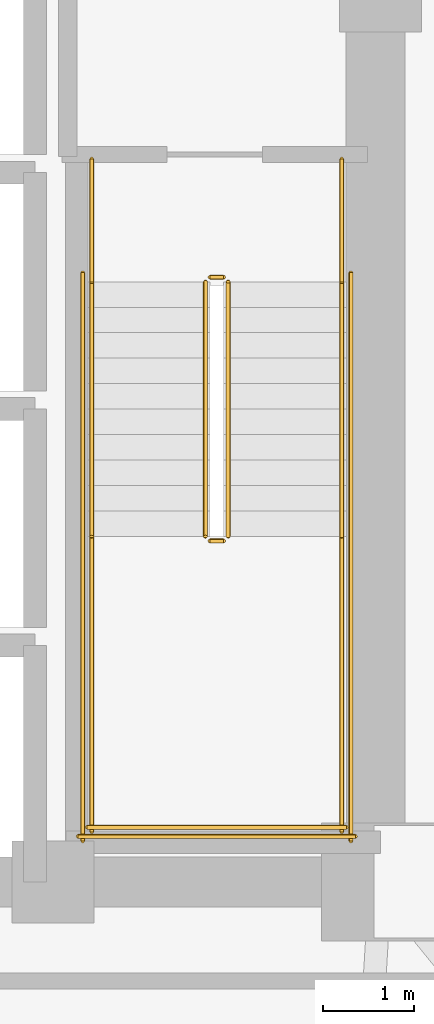
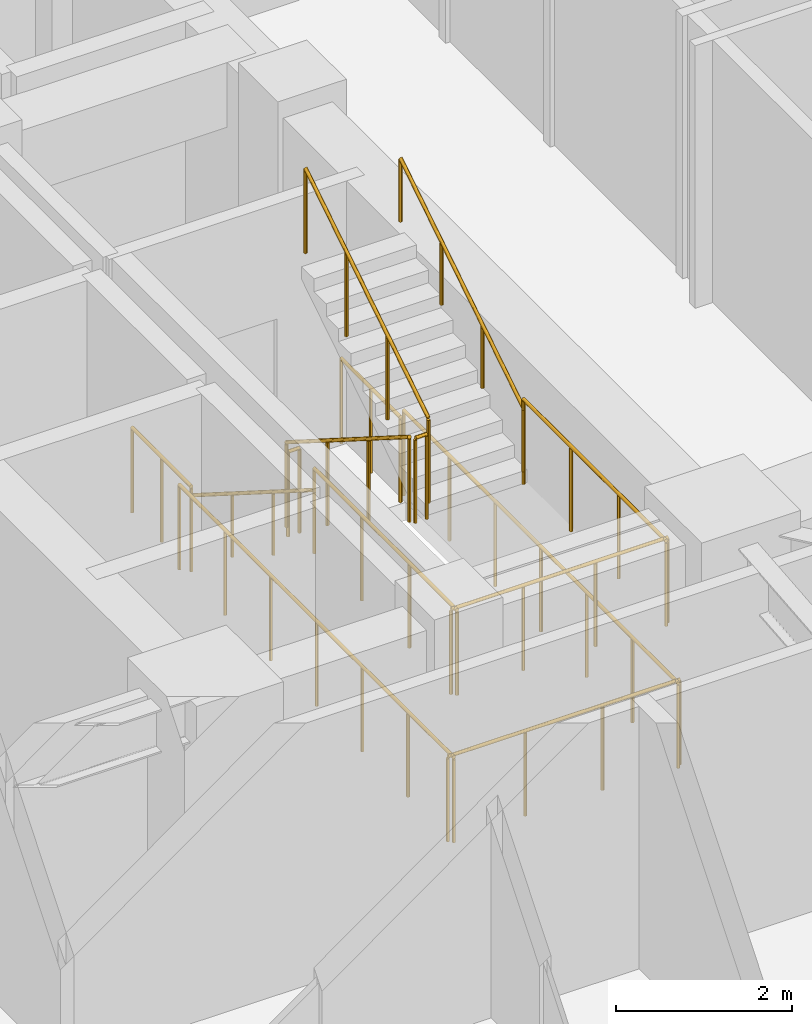
# One storey, part 11 of 11: 14 railings.
"""IFC4 building model written with IfcOpenShell, lengths in metres."""

from ifc_helpers import new_model, si_unit, direction, frame, origin, origin_2d, place, context, subcontext, project, spatial, circle, extrude, material, type_object, element, save


model = new_model("IFC4")

# Units and contexts
model_context = context("Model", 3, precision=1e-05, world=origin(), true_north=direction((0.0, 1.0)))
body_context = subcontext(model_context, "Body", "Model", "MODEL_VIEW")
ifc_project = project(units=[si_unit("LENGTHUNIT", "METRE"), si_unit("AREAUNIT", "SQUARE_METRE"), si_unit("VOLUMEUNIT", "CUBIC_METRE"), si_unit("PLANEANGLEUNIT", "RADIAN"), si_unit("MASSUNIT", "GRAM", prefix="KILO")], contexts=[model_context])

# Site, building, storey
site_placement = place(None, origin())
site = spatial("IfcSite", under=ifc_project, at=site_placement, CompositionType="ELEMENT")
building_placement = place(site_placement, origin())
building = spatial("IfcBuilding", under=site, at=building_placement, Name="Voryun Gate Residences", CompositionType="ELEMENT")
storey_placement = place(building_placement, frame((0.0, 0.0, 97.5)))
storey = spatial("IfcBuildingStorey", under=building, at=storey_placement, Name="L23", CompositionType="ELEMENT", Elevation=97.5)

# Railings
ifc_material_1 = material(Name="Painted steel", Category="steel")
railing_type_1 = type_object("IfcRailingType", Name="RAIL_STAIR_GUARD_1200", PredefinedType="GUARDRAIL", material=ifc_material_1)
railing_1_placement = place(storey_placement, frame((17.27490234375, -0.800048828125, 0.17724609375)))
element("IfcRailing", 1, at=railing_1_placement, inside=storey, type_object=railing_type_1, Name="L23 ST-E1 stair guard 1", PredefinedType="GUARDRAIL", context=body_context, shape_type="SweptSolid", body=[
    extrude(circle(Radius=0.02392578125, at=origin_2d()), frame((0.0, 0.0, 1.17578125), z_axis=(0.0, -0.844908973607, 0.534910110503), x_axis=(1.0, 0.0, 0.0)), (0.0, 0.0, 1.0), 3.31396484375),
    extrude(circle(Radius=0.02099609375, at=origin_2d()), origin(), (0.0, 0.0, 1.0), 1.15185546875),
    extrude(circle(Radius=0.02099609375, at=origin_2d()), frame((0.0, -0.933349609375, 0.5908203125)), (0.0, 0.0, 1.0), 1.15185546875),
    extrude(circle(Radius=0.02099609375, at=origin_2d()), frame((0.0, -1.86669921875, 1.181884765625)), (0.0, 0.0, 1.0), 1.15185546875),
    extrude(circle(Radius=0.02099609375, at=origin_2d()), frame((0.0, -2.800048828125, 1.772705078125)), (0.0, 0.0, 1.0), 1.15185546875),
])
railing_2_placement = place(storey_placement, frame((17.324951171875, -3.64990234375, 1.949951171875)))
element("IfcRailing", 2, at=railing_2_placement, inside=storey, type_object=railing_type_1, Name="L23 ST-E1 stair guard 2", PredefinedType="GUARDRAIL", context=body_context, shape_type="SweptSolid", body=[
    extrude(circle(Radius=0.02392578125, at=origin_2d()), frame((0.0, 0.0, 1.17578125), z_axis=(1.0, 0.0, 0.0), x_axis=(0.0, 1.0, 0.0)), (0.0, 0.0, 1.0), 0.150146484375),
    extrude(circle(Radius=0.02099609375, at=origin_2d()), origin(), (0.0, 0.0, 1.0), 1.15185546875),
    extrude(circle(Radius=0.02099609375, at=origin_2d()), frame((0.150146484375, 0.0, 0.0)), (0.0, 0.0, 1.0), 1.15185546875),
])
for number, where, name in (
    (3, (16.02490234375, -3.60009765625, 1.949951171875), "L23 ST-E1 stair guard 3"),
    (4, (18.77490234375, -3.60009765625, 1.949951171875), "L23 ST-E1 stair guard 4"),
):
    element("IfcRailing", number, at=place(storey_placement, frame(where)), inside=storey, type_object=railing_type_1, Name=name, PredefinedType="GUARDRAIL", context=body_context, shape_type="SweptSolid", body=[
        extrude(circle(Radius=0.02392578125, at=origin_2d()), frame((0.0, 0.0, 1.17578125), z_axis=(0.0, -1.0, 0.0), x_axis=(1.0, 0.0, 0.0)), (0.0, 0.0, 1.0), 3.25),
        extrude(circle(Radius=0.02099609375, at=origin_2d()), origin(), (0.0, 0.0, 1.0), 1.15185546875),
        extrude(circle(Radius=0.02099609375, at=origin_2d()), frame((0.0, -1.083251953125, 0.0)), (0.0, 0.0, 1.0), 1.15185546875),
        extrude(circle(Radius=0.02099609375, at=origin_2d()), frame((0.0, -2.166748046875, 0.0)), (0.0, 0.0, 1.0), 1.15185546875),
        extrude(circle(Radius=0.02099609375, at=origin_2d()), frame((0.0, -3.25, 0.0)), (0.0, 0.0, 1.0), 1.15185546875),
    ])
railing_3_placement = place(storey_placement, frame((15.97509765625, -6.800048828125, 1.949951171875)))
element("IfcRailing", 5, at=railing_3_placement, inside=storey, type_object=railing_type_1, Name="L23 ST-E1 stair guard 5", PredefinedType="GUARDRAIL", context=body_context, shape_type="SweptSolid", body=[
    extrude(circle(Radius=0.02392578125, at=origin_2d()), frame((0.0, 0.0, 1.17578125), z_axis=(1.0, 0.0, 0.0), x_axis=(0.0, 1.0, 0.0)), (0.0, 0.0, 1.0), 2.849853515625),
    extrude(circle(Radius=0.02099609375, at=origin_2d()), origin(), (0.0, 0.0, 1.0), 1.15185546875),
    extrude(circle(Radius=0.02099609375, at=origin_2d()), frame((0.949951171875, 0.0, 0.0)), (0.0, 0.0, 1.0), 1.15185546875),
    extrude(circle(Radius=0.02099609375, at=origin_2d()), frame((1.89990234375, 0.0, 0.0)), (0.0, 0.0, 1.0), 1.15185546875),
    extrude(circle(Radius=0.02099609375, at=origin_2d()), frame((2.849853515625, 0.0, 0.0)), (0.0, 0.0, 1.0), 1.15185546875),
])
railing_4_placement = place(storey_placement, frame((17.52490234375, -3.60009765625, 2.127197265625)))
element("IfcRailing", 6, at=railing_4_placement, inside=storey, type_object=railing_type_1, Name="L23 ST-E1 stair guard 6", PredefinedType="GUARDRAIL", context=body_context, shape_type="SweptSolid", body=[
    extrude(circle(Radius=0.02392578125, at=origin_2d()), frame((0.0, 0.0, 1.17578125), z_axis=(0.0, 0.844908973607, 0.534910110503), x_axis=(-1.0, 0.0, 0.0)), (0.0, 0.0, 1.0), 3.31396484375),
    extrude(circle(Radius=0.02099609375, at=origin_2d()), origin(), (0.0, 0.0, 1.0), 1.15185546875),
    extrude(circle(Radius=0.02099609375, at=origin_2d()), frame((0.0, 0.933349609375, 0.5908203125)), (0.0, 0.0, 1.0), 1.15185546875),
    extrude(circle(Radius=0.02099609375, at=origin_2d()), frame((0.0, 1.86669921875, 1.181884765625)), (0.0, 0.0, 1.0), 1.15185546875),
    extrude(circle(Radius=0.02099609375, at=origin_2d()), frame((0.0, 2.800048828125, 1.772705078125)), (0.0, 0.0, 1.0), 1.15185546875),
])
railing_5_placement = place(storey_placement, frame((17.324951171875, -0.75, 0.0)))
element("IfcRailing", 7, at=railing_5_placement, inside=storey, type_object=railing_type_1, Name="L23 ST-E1 stair guard 7", PredefinedType="GUARDRAIL", context=body_context, shape_type="SweptSolid", body=[
    extrude(circle(Radius=0.02392578125, at=origin_2d()), frame((0.0, 0.0, 1.17578125), z_axis=(1.0, 0.0, 0.0), x_axis=(0.0, 1.0, 0.0)), (0.0, 0.0, 1.0), 0.150146484375),
    extrude(circle(Radius=0.02099609375, at=origin_2d()), origin(), (0.0, 0.0, 1.0), 1.15185546875),
    extrude(circle(Radius=0.02099609375, at=origin_2d()), frame((0.150146484375, 0.0, 0.0)), (0.0, 0.0, 1.0), 1.15185546875),
])
for number, where, name in (
    (8, (16.02490234375, 0.550048828125, 0.0), "L23 ST-E1 stair guard 8"),
    (9, (18.77490234375, 0.550048828125, 0.0), "L23 ST-E1 stair guard 9"),
):
    element("IfcRailing", number, at=place(storey_placement, frame(where)), inside=storey, type_object=railing_type_1, Name=name, PredefinedType="GUARDRAIL", context=body_context, shape_type="SweptSolid", body=[
        extrude(circle(Radius=0.02392578125, at=origin_2d()), frame((0.0, 0.0, 1.17578125), z_axis=(0.0, -1.0, 0.0), x_axis=(1.0, 0.0, 0.0)), (0.0, 0.0, 1.0), 1.35009765625),
        extrude(circle(Radius=0.02099609375, at=origin_2d()), origin(), (0.0, 0.0, 1.0), 1.15185546875),
        extrude(circle(Radius=0.02099609375, at=origin_2d()), frame((0.0, -0.675048828125, 0.0)), (0.0, 0.0, 1.0), 1.15185546875),
        extrude(circle(Radius=0.02099609375, at=origin_2d()), frame((0.0, -1.35009765625, 0.0)), (0.0, 0.0, 1.0), 1.15185546875),
    ])
for number, where, name in (
    (10, (15.925048828125, -0.699951171875, 0.0), "L23 ST-E1 stair guard 10"),
    (11, (18.875, -0.699951171875, 0.0), "L23 ST-E1 stair guard 11"),
):
    element("IfcRailing", number, at=place(storey_placement, frame(where)), inside=storey, type_object=railing_type_1, Name=name, PredefinedType="GUARDRAIL", context=body_context, shape_type="SweptSolid", body=[
        extrude(circle(Radius=0.02392578125, at=origin_2d()), frame((0.0, 0.0, 1.17578125), z_axis=(0.0, -1.0, 0.0), x_axis=(1.0, 0.0, 0.0)), (0.0, 0.0, 1.0), 6.25),
        extrude(circle(Radius=0.02099609375, at=origin_2d()), origin(), (0.0, 0.0, 1.0), 1.15185546875),
        extrude(circle(Radius=0.02099609375, at=origin_2d()), frame((0.0, -1.041748046875, 0.0)), (0.0, 0.0, 1.0), 1.15185546875),
        extrude(circle(Radius=0.02099609375, at=origin_2d()), frame((0.0, -2.083251953125, 0.0)), (0.0, 0.0, 1.0), 1.15185546875),
        extrude(circle(Radius=0.02099609375, at=origin_2d()), frame((0.0, -3.125, 0.0)), (0.0, 0.0, 1.0), 1.15185546875),
        extrude(circle(Radius=0.02099609375, at=origin_2d()), frame((0.0, -4.166748046875, 0.0)), (0.0, 0.0, 1.0), 1.15185546875),
        extrude(circle(Radius=0.02099609375, at=origin_2d()), frame((0.0, -5.208251953125, 0.0)), (0.0, 0.0, 1.0), 1.15185546875),
        extrude(circle(Radius=0.02099609375, at=origin_2d()), frame((0.0, -6.25, 0.0)), (0.0, 0.0, 1.0), 1.15185546875),
    ])
railing_6_placement = place(storey_placement, frame((15.875, -6.89990234375, 0.0)))
element("IfcRailing", 12, at=railing_6_placement, inside=storey, type_object=railing_type_1, Name="L23 ST-E1 stair guard 12", PredefinedType="GUARDRAIL", context=body_context, shape_type="SweptSolid", body=[
    extrude(circle(Radius=0.02392578125, at=origin_2d()), frame((0.0, 0.0, 1.17578125), z_axis=(1.0, 0.0, 0.0), x_axis=(0.0, 1.0, 0.0)), (0.0, 0.0, 1.0), 3.050048828125),
    extrude(circle(Radius=0.02099609375, at=origin_2d()), origin(), (0.0, 0.0, 1.0), 1.15185546875),
    extrude(circle(Radius=0.02099609375, at=origin_2d()), frame((1.0166015625, 0.0, 0.0)), (0.0, 0.0, 1.0), 1.15185546875),
    extrude(circle(Radius=0.02099609375, at=origin_2d()), frame((2.033447265625, 0.0, 0.0)), (0.0, 0.0, 1.0), 1.15185546875),
    extrude(circle(Radius=0.02099609375, at=origin_2d()), frame((3.050048828125, 0.0, 0.0)), (0.0, 0.0, 1.0), 1.15185546875),
])
ifc_material_2 = material(Name="Painted steel", Category="steel")
railing_type_2 = type_object("IfcRailingType", Name="RAIL_STAIR_HANDRAIL_900", PredefinedType="HANDRAIL", material=ifc_material_2)
railing_7_placement = place(storey_placement, frame((16.02490234375, -0.800048828125, 0.17724609375)))
element("IfcRailing", 13, at=railing_7_placement, inside=storey, type_object=railing_type_2, Name="L23 ST-E1 stair handrail 1", PredefinedType="HANDRAIL", context=body_context, shape_type="SweptSolid", body=[
    extrude(circle(Radius=0.02392578125, at=origin_2d()), frame((0.0, 0.0, 0.8759765625), z_axis=(0.0, -0.844908973607, 0.534910110503), x_axis=(1.0, 0.0, 0.0)), (0.0, 0.0, 1.0), 3.31396484375),
    extrude(circle(Radius=0.02099609375, at=origin_2d()), origin(), (0.0, 0.0, 1.0), 0.851806640625),
    extrude(circle(Radius=0.02099609375, at=origin_2d()), frame((0.0, -0.933349609375, 0.5908203125)), (0.0, 0.0, 1.0), 0.851806640625),
    extrude(circle(Radius=0.02099609375, at=origin_2d()), frame((0.0, -1.86669921875, 1.181884765625)), (0.0, 0.0, 1.0), 0.851806640625),
    extrude(circle(Radius=0.02099609375, at=origin_2d()), frame((0.0, -2.800048828125, 1.772705078125)), (0.0, 0.0, 1.0), 0.851806640625),
])
railing_8_placement = place(storey_placement, frame((18.77490234375, -3.60009765625, 2.127197265625)))
element("IfcRailing", 14, at=railing_8_placement, inside=storey, type_object=railing_type_2, Name="L23 ST-E1 stair handrail 2", PredefinedType="HANDRAIL", context=body_context, shape_type="SweptSolid", body=[
    extrude(circle(Radius=0.02392578125, at=origin_2d()), frame((0.0, 0.0, 0.8759765625), z_axis=(0.0, 0.844908973607, 0.534910110503), x_axis=(-1.0, 0.0, 0.0)), (0.0, 0.0, 1.0), 3.31396484375),
    extrude(circle(Radius=0.02099609375, at=origin_2d()), origin(), (0.0, 0.0, 1.0), 0.851806640625),
    extrude(circle(Radius=0.02099609375, at=origin_2d()), frame((0.0, 0.933349609375, 0.5908203125)), (0.0, 0.0, 1.0), 0.851806640625),
    extrude(circle(Radius=0.02099609375, at=origin_2d()), frame((0.0, 1.86669921875, 1.181884765625)), (0.0, 0.0, 1.0), 0.851806640625),
    extrude(circle(Radius=0.02099609375, at=origin_2d()), frame((0.0, 2.800048828125, 1.772705078125)), (0.0, 0.0, 1.0), 0.851806640625),
])

save(model, "model.ifc")
